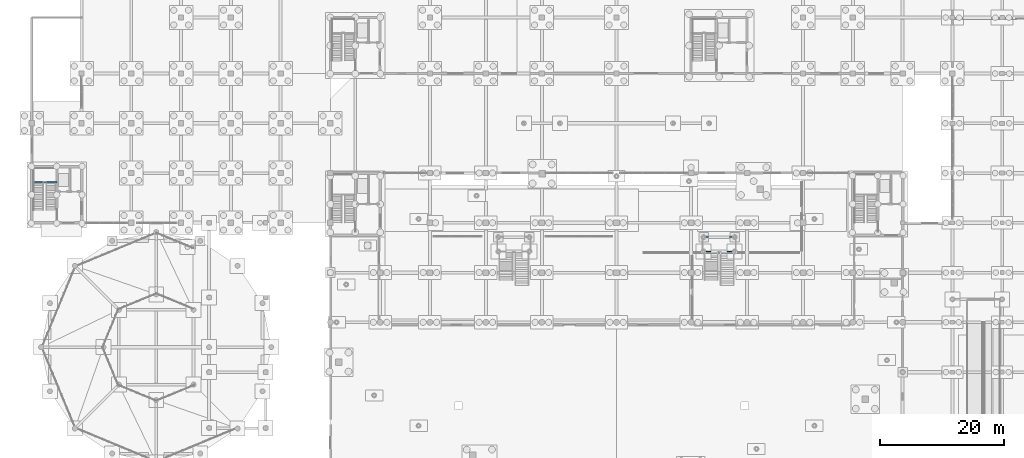
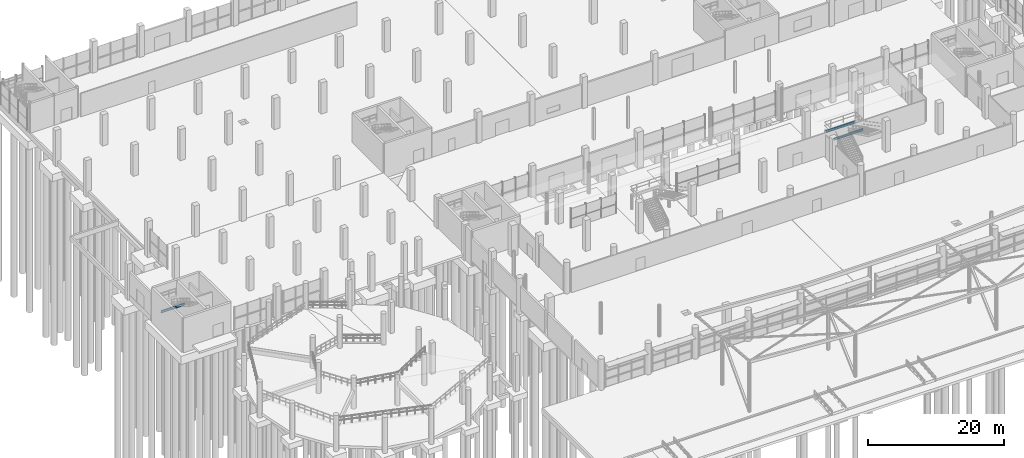
# One storey, part 40 of 98: 3 beams.
"""IFC4 building model written with IfcOpenShell, lengths in metres."""

import ifcopenshell
import ifcopenshell.guid

model = None  # the IFC model being written
_history = None  # IfcOwnerHistory: only IFC2X3 demands one
_inside = {}  # id of a spatial element -> (the spatial element, [elements in it])
_under = {}  # id of a project, library or spatial element -> (it, [spatial elements below it])
_declared = {}  # id of a project -> (the project, [libraries it declares])
_typed = {}  # id of a type object -> (the type object, [elements of that type])
_made_of = {}  # id of a material, layer set ... -> (it, [elements and type objects made of it])


def new_model(schema):
    """Start an empty IFC model of exactly this schema.

    Asked for "IFC4X3", IfcOpenShell would pick the latest addendum, in which some entities
    have other attributes; the version numbers below select the first issue.
    IFC2X3 requires an IfcOwnerHistory on every rooted entity: one is made here for all.
    """
    global model, _history
    if schema == "IFC4X3":
        model = ifcopenshell.file(schema_version=(4, 3, 0, 0))
    else:
        model = ifcopenshell.file(schema=schema)
    _inside.clear()
    _under.clear()
    _declared.clear()
    _typed.clear()
    _made_of.clear()
    _history = None
    if model.schema == "IFC2X3":
        org = make("IfcOrganization", Name="unknown")
        user = make(
            "IfcPersonAndOrganization",
            ThePerson=make("IfcPerson", FamilyName="unknown"),
            TheOrganization=org,
        )
        app = make(
            "IfcApplication",
            ApplicationDeveloper=org,
            Version="unknown",
            ApplicationFullName="unknown",
            ApplicationIdentifier="unknown",
        )
        _history = make(
            "IfcOwnerHistory",
            OwningUser=user,
            OwningApplication=app,
            ChangeAction="ADDED",
            CreationDate=0,
        )
    return model


def make(cls, **values):
    """One entity of the class cls with the attributes given. An attribute that is None is left unset."""
    return model.create_entity(
        cls, **{name: value for name, value in values.items() if value is not None}
    )


def rooted(cls, **values):
    """An entity with a GlobalId (a new one), such as an element, a storey or a relation."""
    return make(cls, GlobalId=ifcopenshell.guid.new(), OwnerHistory=_history, **values)


def si_unit(unit_type, name, prefix=None):
    """IfcSIUnit, for example si_unit("LENGTHUNIT", "METRE", prefix="MILLI")."""
    return make("IfcSIUnit", UnitType=unit_type, Prefix=prefix, Name=name)


def derived_unit(unit_type, elements):
    """IfcDerivedUnit: a product of units, each with its exponent."""
    return make(
        "IfcDerivedUnit",
        Elements=[
            make("IfcDerivedUnitElement", Unit=unit, Exponent=power)
            for unit, power in elements
        ],
        UnitType=unit_type,
    )


def assignment(units):
    """IfcUnitAssignment: the units of a project."""
    return None if units is None else make("IfcUnitAssignment", Units=units)


def point(xyz):
    """IfcCartesianPoint."""
    return None if xyz is None else make("IfcCartesianPoint", Coordinates=xyz)


def direction(xyz):
    """IfcDirection."""
    return None if xyz is None else make("IfcDirection", DirectionRatios=xyz)


def frame(location, z_axis=None, x_axis=None):
    """IfcAxis2Placement3D, a coordinate frame: its origin and axes. An axis left out is left unset."""
    return make(
        "IfcAxis2Placement3D",
        Location=point(location),
        Axis=direction(z_axis),
        RefDirection=direction(x_axis),
    )


def frame_2d(location, x_axis=None):
    """IfcAxis2Placement2D, a coordinate frame in the plane: its origin and x axis."""
    return make(
        "IfcAxis2Placement2D", Location=point(location), RefDirection=direction(x_axis)
    )


def origin():
    """The frame at (0, 0, 0) with its axes left unset."""
    return frame((0.0, 0.0, 0.0))


def origin_2d():
    """The frame at (0, 0) in the plane with its x axis left unset."""
    return frame_2d((0.0, 0.0))


def place(relative_to, where):
    """IfcLocalPlacement: puts the frame where relative to a parent placement (None: the world)."""
    return make(
        "IfcLocalPlacement", PlacementRelTo=relative_to, RelativePlacement=where
    )


def context(
    kind, dimensions, precision=None, world=None, true_north=None, identifier=None
):
    """IfcGeometricRepresentationContext, for example the 3D "Model" context."""
    return make(
        "IfcGeometricRepresentationContext",
        ContextIdentifier=identifier,
        ContextType=kind,
        CoordinateSpaceDimension=dimensions,
        Precision=precision,
        WorldCoordinateSystem=world,
        TrueNorth=true_north,
    )


def subcontext(parent, identifier, kind, view, scale=None):
    """IfcGeometricRepresentationSubContext, for example "Body" below "Model"."""
    return make(
        "IfcGeometricRepresentationSubContext",
        ContextIdentifier=identifier,
        ContextType=kind,
        ParentContext=parent,
        TargetScale=scale,
        TargetView=view,
    )


def project(units=None, contexts=None):
    """IfcProject with its units and contexts."""
    return rooted(
        "IfcProject",
        Name="project",
        RepresentationContexts=contexts,
        UnitsInContext=assignment(units),
    )


def spatial(cls, under=None, at=None, **own):
    """A site, building, storey or space (cls), placed at a placement, below another one or the project."""
    s = rooted(cls, ObjectPlacement=at, **own)
    if under is not None:
        _under.setdefault(under.id(), (under, []))[1].append(s)
    return s


def profile(cls, at=None, kind="AREA", **sizes):
    """A parametric profile (cls). Its sizes go by their IFC names, for example OverallWidth=200.0."""
    return make(cls, ProfileType=kind, Position=at, **sizes)


def i_section(**sizes):
    """IfcIShapeProfileDef."""
    return profile("IfcIShapeProfileDef", **sizes)


def extrude(swept, where, along, depth):
    """IfcExtrudedAreaSolid: the profile swept, set in the frame where, extruded along a direction by depth."""
    return make(
        "IfcExtrudedAreaSolid",
        SweptArea=swept,
        Position=where,
        ExtrudedDirection=direction(along),
        Depth=depth,
    )


def shape(context_of_items, identifier, shape_type, items):
    """IfcShapeRepresentation: the items that make up one representation, for example the "Body"."""
    return make(
        "IfcShapeRepresentation",
        ContextOfItems=context_of_items,
        RepresentationIdentifier=identifier,
        RepresentationType=shape_type,
        Items=items,
    )


def material(Name=None, Category=None):
    """IfcMaterial."""
    return make("IfcMaterial", Name=Name, Category=Category)


def material_profile(
    of_material, cross_section, Name=None, Category=None, Priority=None
):
    """IfcMaterialProfile: a cross section and its material."""
    return make(
        "IfcMaterialProfile",
        Name=Name,
        Material=of_material,
        Profile=cross_section,
        Priority=Priority,
        Category=Category,
    )


def profile_set(profiles, Name=None, composite=None):
    """IfcMaterialProfileSet."""
    return make(
        "IfcMaterialProfileSet",
        Name=Name,
        MaterialProfiles=profiles,
        CompositeProfile=composite,
    )


def made_of(thing, what):
    """Note that an element or type object is made of a material, layer set ...; save() writes the relation."""
    if what is not None:
        _made_of.setdefault(what.id(), (what, []))[1].append(thing)
    return thing


def type_object(cls, material=None, **own):
    """A type object (cls), such as IfcWallType, which elements share."""
    return made_of(rooted(cls, **own), material)


def element(
    cls,
    number,
    at=None,
    inside=None,
    cuts=None,
    type_object=None,
    material=None,
    context=None,
    identifier="Body",
    shape_type=None,
    held_by="IfcProductDefinitionShape",
    body=None,
    shapes=None,
    **own,
):
    """One element of the class cls, such as IfcWall. Its Tag is "e" and its number.

    at: its placement. inside: the storey or other place that contains it. cuts: it is an
    opening in that element (IfcRelVoidsElement). A single representation is given by context,
    identifier, shape_type and body (its items); several are given by shapes. held_by: the class
    of the entity that holds the representations. save() writes the other relations.
    """
    e = rooted(cls, Tag="e%d" % number, ObjectPlacement=at, **own)
    if body is not None:
        shapes = [shape(context, identifier, shape_type, body)]
    if shapes is not None:
        e.Representation = make(held_by, Representations=shapes)
    if inside is not None:
        _inside.setdefault(inside.id(), (inside, []))[1].append(e)
    if cuts is not None:
        rooted(
            "IfcRelVoidsElement", RelatingBuildingElement=cuts, RelatedOpeningElement=e
        )
    if type_object is not None:
        _typed.setdefault(type_object.id(), (type_object, []))[1].append(e)
    return made_of(e, material)


def aggregate(whole, parts):
    """IfcRelAggregates: a whole, such as a stair, and the parts it consists of."""
    return rooted("IfcRelAggregates", RelatingObject=whole, RelatedObjects=parts)


def save(model, path):
    """Write the relations noted so far, then the file.

    IfcRelAggregates (storeys below a building ...), IfcRelContainedInSpatialStructure (elements
    in a storey), IfcRelDefinesByType, IfcRelAssociatesMaterial and IfcRelDeclares: one each for
    every whole, place, type object, material and project.
    """
    for whole, parts in _under.values():
        aggregate(whole, parts)
    for where, things in _inside.values():
        rooted(
            "IfcRelContainedInSpatialStructure",
            RelatedElements=things,
            RelatingStructure=where,
        )
    for kind, things in _typed.values():
        rooted("IfcRelDefinesByType", RelatedObjects=things, RelatingType=kind)
    for what, things in _made_of.values():
        rooted("IfcRelAssociatesMaterial", RelatedObjects=things, RelatingMaterial=what)
    for by, libraries in _declared.values():
        rooted("IfcRelDeclares", RelatingContext=by, RelatedDefinitions=libraries)
    model.write(path)


model = new_model("IFC4")

# Units and contexts
model_context = context("Model", 3, precision=1e-05, world=origin(), true_north=direction((0.0, 1.0)))
body_context = subcontext(model_context, "Body", "Model", "MODEL_VIEW")
ifc_project = project(units=[si_unit("LENGTHUNIT", "METRE"), si_unit("AREAUNIT", "SQUARE_METRE"), si_unit("VOLUMEUNIT", "CUBIC_METRE"), si_unit("PLANEANGLEUNIT", "RADIAN"), si_unit("MASSUNIT", "GRAM", prefix="KILO"), si_unit("THERMODYNAMICTEMPERATUREUNIT", "KELVIN"), derived_unit("THERMALTRANSMITTANCEUNIT", [(si_unit("POWERUNIT", "WATT"), 1), (si_unit("AREAUNIT", "SQUARE_METRE"), -1), (si_unit("THERMODYNAMICTEMPERATUREUNIT", "KELVIN"), -1)])], contexts=[model_context])

# Site, building, storey
site_placement = place(None, origin())
site = spatial("IfcSite", under=ifc_project, at=site_placement, CompositionType="ELEMENT")
building_placement = place(site_placement, origin())
building = spatial("IfcBuilding", under=site, at=building_placement, Name="Haiyu Intermodal Mobility Hub", CompositionType="ELEMENT")
storey_placement = place(building_placement, origin())
storey = spatial("IfcBuildingStorey", under=building, at=storey_placement, Name="L00", CompositionType="ELEMENT", Elevation=0.0)

# Beams
ifc_material = material(Name="Steel Q355C", Category="steel")
ifc_material_profile = material_profile(ifc_material, i_section(OverallWidth=0.199951171875, OverallDepth=0.39990234375, WebThickness=0.008056640625, FlangeThickness=0.012939453125, FilletRadius=0.01611328125, at=origin_2d()), Name="HN400x200x8x13")
ifc_profile_set = profile_set([ifc_material_profile], Name="Steel Q355C")
beam_type = type_object("IfcBeamType", Name="BM-SB08", PredefinedType="JOIST", material=ifc_profile_set)
beam_placement = place(storey_placement, frame((14.0, 86.530029296875, 2.375), z_axis=(1.0, 0.0, 0.0), x_axis=(0.0, 1.0, 0.0)))
element("IfcBeam", 1, at=beam_placement, inside=storey, type_object=beam_type, Name="Stair Half-Landing Front Beam C7-L00", PredefinedType="JOIST", context=body_context, shape_type="SweptSolid", body=[
    extrude(i_section(OverallWidth=0.199951171875, OverallDepth=0.39990234375, WebThickness=0.008056640625, FlangeThickness=0.012939453125, FilletRadius=0.01611328125, at=origin_2d()), origin(), (0.0, 0.0, 1.0), 4.050048828125),
])
for number, where, z_axis, x_axis, name in (
    (2, (122.0, 75.39990234375, 2.364990234375), (1.0, 0.0, 0.0), (0.0, 1.0, 0.0), "BM-MST2-754"),
    (3, (122.0, 77.699951171875, 2.364990234375), (1.0, 0.0, 0.0), (0.0, 1.0, 0.0), "BM-MST2-777"),
):
    element("IfcBeam", number, at=place(storey_placement, frame(where, z_axis=z_axis, x_axis=x_axis)), inside=storey, type_object=beam_type, Name=name, PredefinedType="JOIST", context=body_context, shape_type="SweptSolid", body=[
        extrude(i_section(OverallWidth=0.199951171875, OverallDepth=0.39990234375, WebThickness=0.008056640625, FlangeThickness=0.012939453125, FilletRadius=0.01611328125, at=origin_2d()), origin(), (0.0, 0.0, 1.0), 5.0),
    ])

save(model, "model.ifc")
